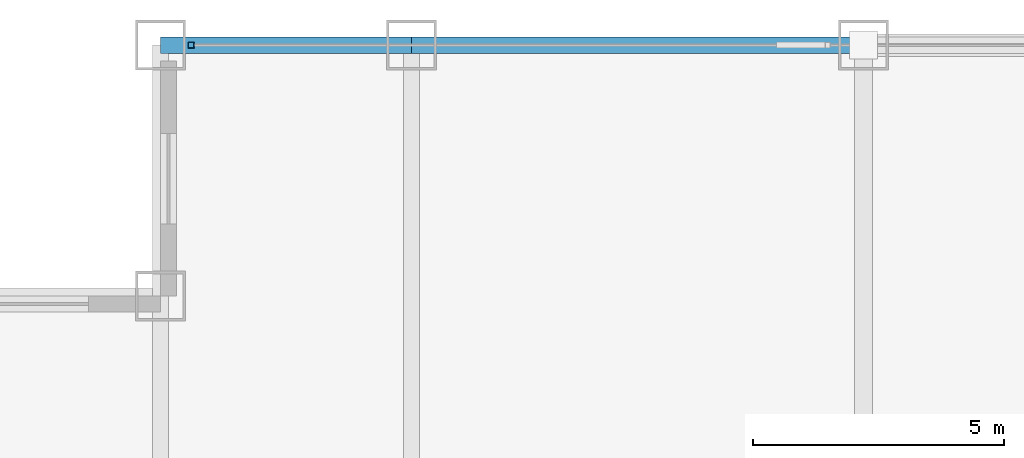
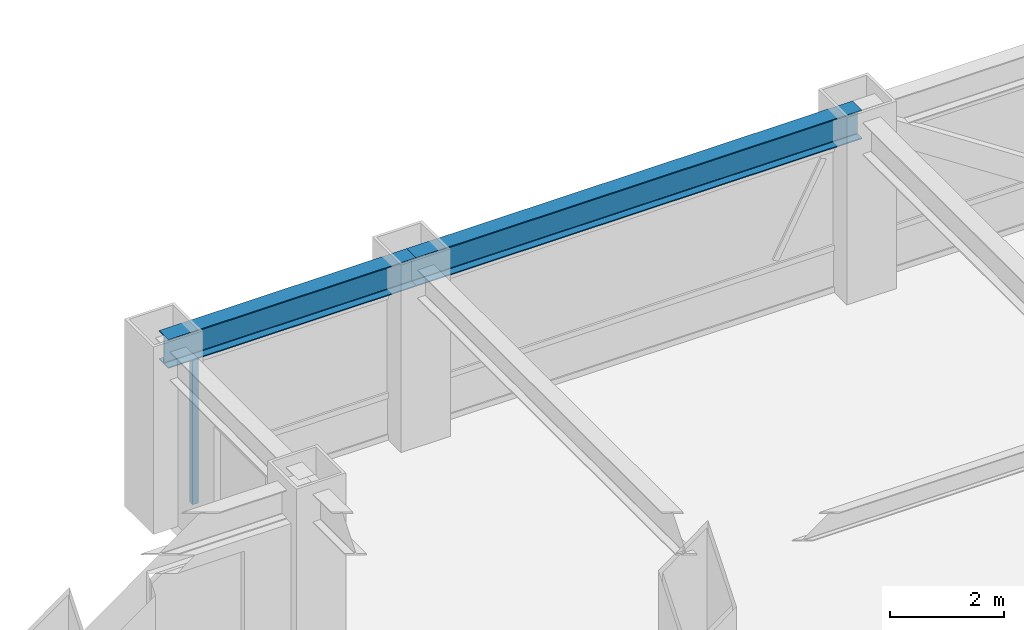
# One storey, part 14 of 25: 2 beams, 1 member, 1 element without a shape of its own.
"""IFC4 building model written with IfcOpenShell, lengths in metres."""

from ifc_helpers import new_model, si_unit, direction, frame, origin, origin_2d, place, context, subcontext, project, spatial, hollow_rectangle, i_section, extrude, source, transform, mapped, material, material_profile, profile_set, type_object, element, aggregate, save


model = new_model("IFC4")

# Units and contexts
model_context = context("Model", 3, precision=1e-05, world=origin(), true_north=direction((0.0, 1.0)))
body_context = subcontext(model_context, "Body", "Model", "MODEL_VIEW")
ifc_project = project(units=[si_unit("LENGTHUNIT", "METRE"), si_unit("AREAUNIT", "SQUARE_METRE"), si_unit("VOLUMEUNIT", "CUBIC_METRE"), si_unit("PLANEANGLEUNIT", "RADIAN"), si_unit("MASSUNIT", "GRAM", prefix="KILO")], contexts=[model_context])

# Site, building, storey
site_placement = place(None, origin())
site = spatial("IfcSite", under=ifc_project, at=site_placement, CompositionType="ELEMENT")
building_placement = place(site_placement, origin())
building = spatial("IfcBuilding", under=site, at=building_placement, Name="Khorayat Bourse Tower", CompositionType="ELEMENT")
storey_placement = place(building_placement, frame((0.0, 0.0, 247.10009765625)))
storey = spatial("IfcBuildingStorey", under=building, at=storey_placement, Name="L58", CompositionType="ELEMENT", Elevation=247.10009765625)

# Beams
ifc_material_1 = material(Name="Steel ASTM A992 Grade 50", Category="steel")
ifc_material_profile_1 = material_profile(ifc_material_1, i_section(OverallWidth=0.324951171875, OverallDepth=0.615966796875, WebThickness=0.013916015625, FlangeThickness=0.021484375, FilletRadius=0.01611328125, at=origin_2d()), Name="W610X174")
ifc_profile_set_1 = profile_set([ifc_material_profile_1], Name="Steel ASTM A992 Grade 50")
beam_type = type_object("IfcBeamType", Name="BM-SPAN-610", PredefinedType="SPANDREL", material=ifc_profile_set_1)
shared_shape_1 = source(origin(), body_context, "Body", "SweptSolid", [
    extrude(i_section(OverallWidth=0.324951171875, OverallDepth=0.615966796875, WebThickness=0.013916015625, FlangeThickness=0.021484375, FilletRadius=0.01611328125, at=origin_2d()), origin(), (0.0, 0.0, 1.0), 9.0),
])
beam_1_placement = place(storey_placement, frame((-20.0, 30.0, 3.471923828125), z_axis=(1.0, 0.0, 0.0), x_axis=(0.0, 1.0, 0.0)))
element("IfcBeam", 1, at=beam_1_placement, inside=storey, type_object=beam_type, Name="L58 BM-SPAN-610 BM-L58-SPN-050", PredefinedType="SPANDREL", context=body_context, shape_type="MappedRepresentation", body=[
    mapped(shared_shape_1, transform((0.0, 0.0, 0.0), scale=1.0)),
])
shared_shape_2 = source(origin(), body_context, "Body", "SweptSolid", [
    extrude(i_section(OverallWidth=0.324951171875, OverallDepth=0.615966796875, WebThickness=0.013916015625, FlangeThickness=0.021484375, FilletRadius=0.01611328125, at=origin_2d()), origin(), (0.0, 0.0, 1.0), 5.0),
])
beam_2_placement = place(storey_placement, frame((-25.0, 30.0, 3.471923828125), z_axis=(1.0, 0.0, 0.0), x_axis=(0.0, 1.0, 0.0)))
element("IfcBeam", 2, at=beam_2_placement, inside=storey, type_object=beam_type, Name="L58 BM-SPAN-610 BM-L58-SPN-051", PredefinedType="SPANDREL", context=body_context, shape_type="MappedRepresentation", body=[
    mapped(shared_shape_2, transform((0.0, 0.0, 0.0), scale=1.0)),
])

# Curtain wall, member
ifc_material_2 = material(Name="Aluminium EN AW-6063 T6", Category="aluminium")
curtain_wall_type = type_object("IfcCurtainWallType", Name="CW-SYS-03", PredefinedType="NOTDEFINED", material=ifc_material_2)
curtain_wall_placement = place(storey_placement, origin())
curtain_wall = element("IfcCurtainWall", 3, at=curtain_wall_placement, inside=storey, type_object=curtain_wall_type, Name="L58 Curtain Wall CW-L58-N1", PredefinedType="NOTDEFINED")
ifc_material_profile_2 = material_profile(ifc_material_2, hollow_rectangle(XDim=0.1201171875, YDim=0.1201171875, WallThickness=0.0048828125, at=origin_2d()), Name="ALU 120x120x5")
ifc_profile_set_2 = profile_set([ifc_material_profile_2], Name="Aluminium EN AW-6063 T6")
member_type = type_object("IfcMemberType", Name="CWM-VERT-120", PredefinedType="MULLION", material=ifc_profile_set_2)
shared_shape_3 = source(origin(), body_context, "Body", "SweptSolid", [
    extrude(hollow_rectangle(XDim=0.1201171875, YDim=0.1201171875, WallThickness=0.0048828125, at=origin_2d()), origin(), (0.0, 0.0, 1.0), 3.1298828125),
])
member_placement = place(storey_placement, frame((-24.389892578125, 30.0, 0.0), z_axis=(0.0, 0.0, 1.0), x_axis=(0.0, 1.0, 0.0)))
member = element("IfcMember", 4, at=member_placement, type_object=member_type, Name="CW-L58-N1 Vertical Mullion 1", PredefinedType="MULLION", context=body_context, shape_type="MappedRepresentation", body=[
    mapped(shared_shape_3, transform((0.0, 0.0, 0.0), scale=1.0)),
])
aggregate(curtain_wall, [member])

save(model, "model.ifc")
